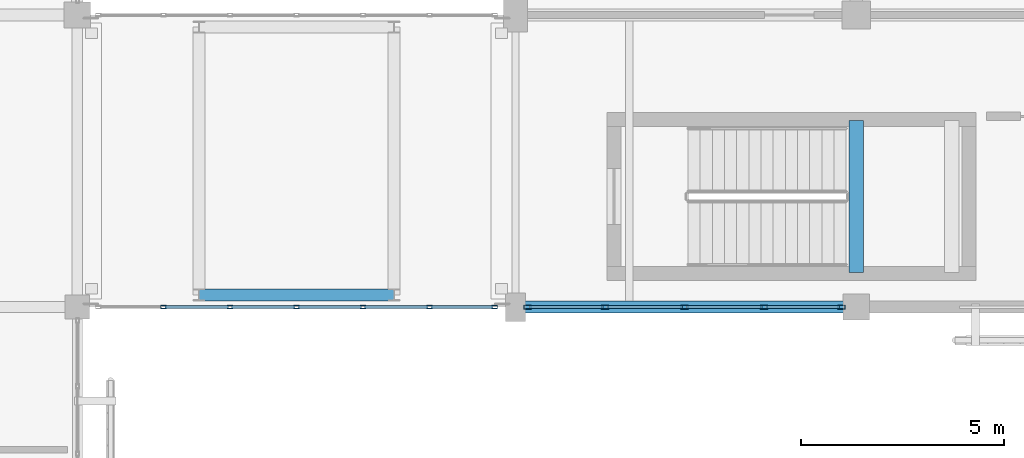
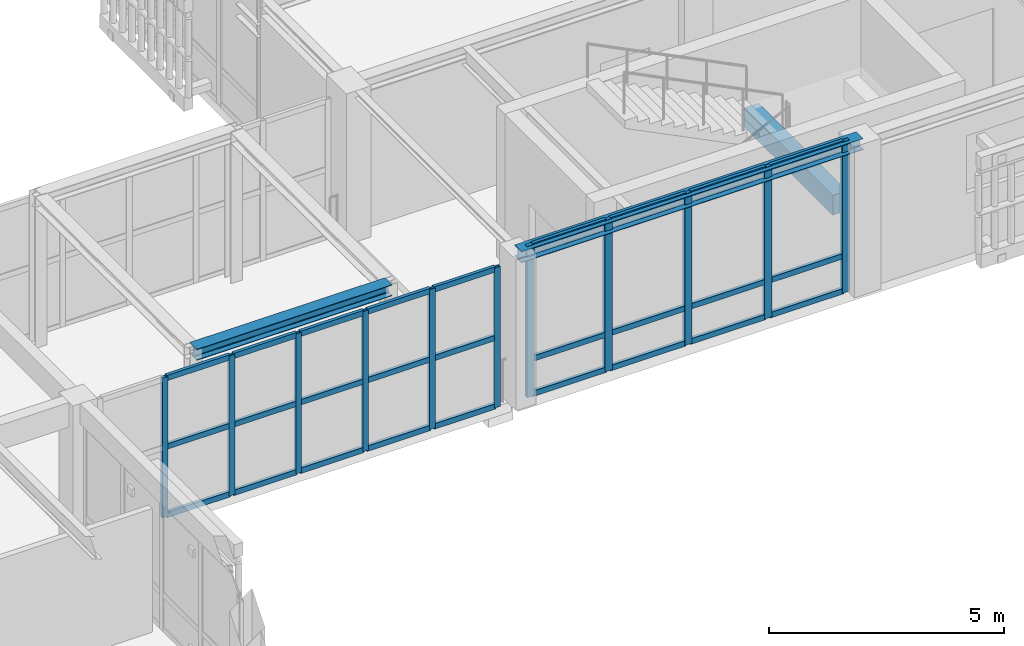
# One storey, part 64 of 170: 38 members, 3 beams, 2 elements without a shape of their own.
"""IFC4 building model written with IfcOpenShell, lengths in metres."""

from ifc_helpers import new_model, si_unit, direction, frame, origin, origin_2d, place, context, subcontext, project, spatial, rectangle, hollow_rectangle, i_section, extrude, material, layer, layer_set, material_profile, profile_set, type_object, element, aggregate, save


model = new_model("IFC4")

# Units and contexts
model_context = context("Model", 3, precision=1e-05, world=origin(), true_north=direction((0.0, 1.0)))
body_context = subcontext(model_context, "Body", "Model", "MODEL_VIEW")
ifc_project = project(units=[si_unit("LENGTHUNIT", "METRE"), si_unit("AREAUNIT", "SQUARE_METRE"), si_unit("VOLUMEUNIT", "CUBIC_METRE"), si_unit("PLANEANGLEUNIT", "RADIAN"), si_unit("MASSUNIT", "GRAM", prefix="KILO")], contexts=[model_context])

# Site, building, storey
site_placement = place(None, origin())
site = spatial("IfcSite", under=ifc_project, at=site_placement, CompositionType="ELEMENT")
building_placement = place(site_placement, origin())
building = spatial("IfcBuilding", under=site, at=building_placement, Name="Mazaris Harbour Polytechnic", CompositionType="ELEMENT")
storey_placement = place(building_placement, frame((0.0, 0.0, 5.39990234375)))
storey = spatial("IfcBuildingStorey", under=building, at=storey_placement, Name="L01", CompositionType="ELEMENT", Elevation=5.39990234375)

# Curtain wall, members
ifc_material_1 = material(Name="Anodised Bronze Aluminium and Low-E Glass", Category="aluminium")
ifc_layer_1 = layer(ifc_material_1, 0.14990234375, Name="Anodised Bronze Aluminium and Low-E Glass")
ifc_layer_set_1 = layer_set([ifc_layer_1], Name="Anodised Bronze Aluminium and Low-E Glass")
curtain_wall_type_1 = type_object("IfcCurtainWallType", Name="Workshop Clerestory Curtain Wall", PredefinedType="NOTDEFINED", material=ifc_layer_set_1)
curtain_wall_1_placement = place(storey_placement, origin())
curtain_wall_1 = element("IfcCurtainWall", 1, at=curtain_wall_1_placement, inside=storey, type_object=curtain_wall_type_1, Name="V1 L01 Curtain Wall 13", PredefinedType="NOTDEFINED")
ifc_material_2 = material(Name="Anodised Bronze Steel S355", Category="steel")
ifc_material_profile_1 = material_profile(ifc_material_2, hollow_rectangle(XDim=0.10009765625, YDim=0.179931640625, WallThickness=0.008056640625, at=origin_2d()), Name="RHS 100x180x8.0")
ifc_profile_set_1 = profile_set([ifc_material_profile_1], Name="Anodised Bronze Steel S355")
member_type_1 = type_object("IfcMemberType", Name="Curtain Mullion RHS100x180", PredefinedType="MULLION", material=ifc_profile_set_1)
member_1_placement = place(storey_placement, frame((62.032958984375, 75.60009765625, 0.0), z_axis=(0.0, 0.0, 1.0), x_axis=(0.0, -1.0, 0.0)))
member_1 = element("IfcMember", 2, at=member_1_placement, type_object=member_type_1, Name="CW-04 mullion 1", PredefinedType="MULLION", context=body_context, shape_type="SweptSolid", body=[
    extrude(hollow_rectangle(XDim=0.10009765625, YDim=0.179931640625, WallThickness=0.008056640625, at=origin_2d()), origin(), (0.0, 0.0, 1.0), 3.920166015625),
])
member_2_placement = place(storey_placement, frame((60.122802734375, 75.60009765625, 0.0), z_axis=(0.0, 0.0, 1.0), x_axis=(0.0, -1.0, 0.0)))
member_2 = element("IfcMember", 3, at=member_2_placement, type_object=member_type_1, Name="CW-04 mullion 2", PredefinedType="MULLION", context=body_context, shape_type="SweptSolid", body=[
    extrude(hollow_rectangle(XDim=0.10009765625, YDim=0.179931640625, WallThickness=0.008056640625, at=origin_2d()), origin(), (0.0, 0.0, 1.0), 3.920166015625),
])
member_3_placement = place(storey_placement, frame((58.16259765625, 75.60009765625, 0.0), z_axis=(0.0, 0.0, 1.0), x_axis=(0.0, -1.0, 0.0)))
member_3 = element("IfcMember", 4, at=member_3_placement, type_object=member_type_1, Name="CW-04 mullion 3", PredefinedType="MULLION", context=body_context, shape_type="SweptSolid", body=[
    extrude(hollow_rectangle(XDim=0.10009765625, YDim=0.179931640625, WallThickness=0.008056640625, at=origin_2d()), origin(), (0.0, 0.0, 1.0), 3.920166015625),
])
member_4_placement = place(storey_placement, frame((56.2021484375, 75.60009765625, 0.0), z_axis=(0.0, 0.0, 1.0), x_axis=(0.0, -1.0, 0.0)))
member_4 = element("IfcMember", 5, at=member_4_placement, type_object=member_type_1, Name="CW-04 mullion 4", PredefinedType="MULLION", context=body_context, shape_type="SweptSolid", body=[
    extrude(hollow_rectangle(XDim=0.10009765625, YDim=0.179931640625, WallThickness=0.008056640625, at=origin_2d()), origin(), (0.0, 0.0, 1.0), 3.920166015625),
])
member_5_placement = place(storey_placement, frame((54.2919921875, 75.60009765625, 0.0), z_axis=(0.0, 0.0, 1.0), x_axis=(0.0, -1.0, 0.0)))
member_5 = element("IfcMember", 6, at=member_5_placement, type_object=member_type_1, Name="CW-04 mullion 5", PredefinedType="MULLION", context=body_context, shape_type="SweptSolid", body=[
    extrude(hollow_rectangle(XDim=0.10009765625, YDim=0.179931640625, WallThickness=0.008056640625, at=origin_2d()), origin(), (0.0, 0.0, 1.0), 3.920166015625),
])

ifc_material_3 = material(Name="Anodised Bronze Aluminium and Low-E Glass", Category="aluminium")
ifc_layer_2 = layer(ifc_material_3, 0.139892578125, Name="Anodised Bronze Aluminium and Low-E Glass")
ifc_layer_set_2 = layer_set([ifc_layer_2], Name="Anodised Bronze Aluminium and Low-E Glass")
curtain_wall_type_2 = type_object("IfcCurtainWallType", Name="Seismic Link Bridge Glazing", PredefinedType="NOTDEFINED", material=ifc_layer_set_2)
curtain_wall_2_placement = place(storey_placement, origin())
curtain_wall_2 = element("IfcCurtainWall", 7, at=curtain_wall_2_placement, inside=storey, type_object=curtain_wall_type_2, Name="PB-W2 L01 Bridge Glazing", PredefinedType="NOTDEFINED")
ifc_material_4 = material(Name="Anodised Bronze Steel S355", Category="steel")
ifc_material_profile_2 = material_profile(ifc_material_4, hollow_rectangle(XDim=0.080078125, YDim=0.139892578125, WallThickness=0.00634765625, at=origin_2d()), Name="RHS 80x140x6.3")
ifc_profile_set_2 = profile_set([ifc_material_profile_2], Name="Anodised Bronze Steel S355")
member_type_2 = type_object("IfcMemberType", Name="Curtain Mullion RHS80x140", PredefinedType="MULLION", material=ifc_profile_set_2)
member_6_placement = place(storey_placement, frame((45.320068359375, 75.60009765625, 0.0), z_axis=(0.0, 0.0, 1.0), x_axis=(0.0, 1.0, 0.0)))
member_6 = element("IfcMember", 8, at=member_6_placement, type_object=member_type_2, Name="CW-05 mullion 2", PredefinedType="MULLION", context=body_context, shape_type="SweptSolid", body=[
    extrude(hollow_rectangle(XDim=0.080078125, YDim=0.139892578125, WallThickness=0.00634765625, at=origin_2d()), origin(), (0.0, 0.0, 1.0), 3.635009765625),
])
member_7_placement = place(storey_placement, frame((46.9599609375, 75.60009765625, 0.0), z_axis=(0.0, 0.0, 1.0), x_axis=(0.0, 1.0, 0.0)))
member_7 = element("IfcMember", 9, at=member_7_placement, type_object=member_type_2, Name="CW-05 mullion 3", PredefinedType="MULLION", context=body_context, shape_type="SweptSolid", body=[
    extrude(hollow_rectangle(XDim=0.080078125, YDim=0.139892578125, WallThickness=0.00634765625, at=origin_2d()), origin(), (0.0, 0.0, 1.0), 3.635009765625),
])
member_8_placement = place(storey_placement, frame((48.60009765625, 75.60009765625, 0.0), z_axis=(0.0, 0.0, 1.0), x_axis=(0.0, 1.0, 0.0)))
member_8 = element("IfcMember", 10, at=member_8_placement, type_object=member_type_2, Name="CW-05 mullion 4", PredefinedType="MULLION", context=body_context, shape_type="SweptSolid", body=[
    extrude(hollow_rectangle(XDim=0.080078125, YDim=0.139892578125, WallThickness=0.00634765625, at=origin_2d()), origin(), (0.0, 0.0, 1.0), 3.635009765625),
])
member_9_placement = place(storey_placement, frame((50.239990234375, 75.60009765625, 0.0), z_axis=(0.0, 0.0, 1.0), x_axis=(0.0, 1.0, 0.0)))
member_9 = element("IfcMember", 11, at=member_9_placement, type_object=member_type_2, Name="CW-05 mullion 5", PredefinedType="MULLION", context=body_context, shape_type="SweptSolid", body=[
    extrude(hollow_rectangle(XDim=0.080078125, YDim=0.139892578125, WallThickness=0.00634765625, at=origin_2d()), origin(), (0.0, 0.0, 1.0), 3.635009765625),
])
member_10_placement = place(storey_placement, frame((51.8798828125, 75.60009765625, 0.0), z_axis=(0.0, 0.0, 1.0), x_axis=(0.0, 1.0, 0.0)))
member_10 = element("IfcMember", 12, at=member_10_placement, type_object=member_type_2, Name="CW-05 mullion 6", PredefinedType="MULLION", context=body_context, shape_type="SweptSolid", body=[
    extrude(hollow_rectangle(XDim=0.080078125, YDim=0.139892578125, WallThickness=0.00634765625, at=origin_2d()), origin(), (0.0, 0.0, 1.0), 3.635009765625),
])
member_11_placement = place(storey_placement, frame((53.47998046875, 75.60009765625, 0.0), z_axis=(0.0, 0.0, 1.0), x_axis=(0.0, 1.0, 0.0)))
member_11 = element("IfcMember", 13, at=member_11_placement, type_object=member_type_2, Name="CW-05 mullion 7", PredefinedType="MULLION", context=body_context, shape_type="SweptSolid", body=[
    extrude(hollow_rectangle(XDim=0.080078125, YDim=0.139892578125, WallThickness=0.00634765625, at=origin_2d()), origin(), (0.0, 0.0, 1.0), 3.635009765625),
])

# Member
ifc_material_5 = material(Name="Anodised Bronze Steel S355", Category="steel")
ifc_material_profile_3 = material_profile(ifc_material_5, hollow_rectangle(XDim=0.080078125, YDim=0.139892578125, WallThickness=0.00634765625, at=origin_2d()), Name="RHS 80x140x6.3")
ifc_profile_set_3 = profile_set([ifc_material_profile_3], Name="Anodised Bronze Steel S355")
member_type_3 = type_object("IfcMemberType", Name="Curtain Transom RHS80x140", PredefinedType="USERDEFINED", material=ifc_profile_set_3)
member_12_placement = place(storey_placement, frame((61.98291015625, 75.60009765625, 0.0400390625), z_axis=(-1.0, 0.0, 0.0), x_axis=(0.0, -1.0, 0.0)))
member_12 = element("IfcMember", 14, at=member_12_placement, type_object=member_type_3, Name="CW-04 transom 1.1", ObjectType="TRANSOM", PredefinedType="USERDEFINED", context=body_context, shape_type="SweptSolid", body=[
    extrude(hollow_rectangle(XDim=0.080078125, YDim=0.139892578125, WallThickness=0.00634765625, at=origin_2d()), origin(), (0.0, 0.0, 1.0), 1.81005859375),
])

member_13_placement = place(storey_placement, frame((61.98291015625, 75.60009765625, 0.9501953125), z_axis=(-1.0, 0.0, 0.0), x_axis=(0.0, -1.0, 0.0)))
member_13 = element("IfcMember", 15, at=member_13_placement, type_object=member_type_3, Name="CW-04 transom 1.2", ObjectType="TRANSOM", PredefinedType="USERDEFINED", context=body_context, shape_type="SweptSolid", body=[
    extrude(hollow_rectangle(XDim=0.080078125, YDim=0.139892578125, WallThickness=0.00634765625, at=origin_2d()), origin(), (0.0, 0.0, 1.0), 1.81005859375),
])

member_14_placement = place(storey_placement, frame((61.98291015625, 75.60009765625, 3.880126953125), z_axis=(-1.0, 0.0, 0.0), x_axis=(0.0, -1.0, 0.0)))
member_14 = element("IfcMember", 16, at=member_14_placement, type_object=member_type_3, Name="CW-04 transom 1.3", ObjectType="TRANSOM", PredefinedType="USERDEFINED", context=body_context, shape_type="SweptSolid", body=[
    extrude(hollow_rectangle(XDim=0.080078125, YDim=0.139892578125, WallThickness=0.00634765625, at=origin_2d()), origin(), (0.0, 0.0, 1.0), 1.81005859375),
])

member_15_placement = place(storey_placement, frame((60.07275390625, 75.60009765625, 0.0400390625), z_axis=(-1.0, 0.0, 0.0), x_axis=(0.0, -1.0, 0.0)))
member_15 = element("IfcMember", 17, at=member_15_placement, type_object=member_type_3, Name="CW-04 transom 2.1", ObjectType="TRANSOM", PredefinedType="USERDEFINED", context=body_context, shape_type="SweptSolid", body=[
    extrude(hollow_rectangle(XDim=0.080078125, YDim=0.139892578125, WallThickness=0.00634765625, at=origin_2d()), origin(), (0.0, 0.0, 1.0), 1.8603515625),
])

member_16_placement = place(storey_placement, frame((60.07275390625, 75.60009765625, 0.9501953125), z_axis=(-1.0, 0.0, 0.0), x_axis=(0.0, -1.0, 0.0)))
member_16 = element("IfcMember", 18, at=member_16_placement, type_object=member_type_3, Name="CW-04 transom 2.2", ObjectType="TRANSOM", PredefinedType="USERDEFINED", context=body_context, shape_type="SweptSolid", body=[
    extrude(hollow_rectangle(XDim=0.080078125, YDim=0.139892578125, WallThickness=0.00634765625, at=origin_2d()), origin(), (0.0, 0.0, 1.0), 1.8603515625),
])

member_17_placement = place(storey_placement, frame((60.07275390625, 75.60009765625, 3.880126953125), z_axis=(-1.0, 0.0, 0.0), x_axis=(0.0, -1.0, 0.0)))
member_17 = element("IfcMember", 19, at=member_17_placement, type_object=member_type_3, Name="CW-04 transom 2.3", ObjectType="TRANSOM", PredefinedType="USERDEFINED", context=body_context, shape_type="SweptSolid", body=[
    extrude(hollow_rectangle(XDim=0.080078125, YDim=0.139892578125, WallThickness=0.00634765625, at=origin_2d()), origin(), (0.0, 0.0, 1.0), 1.8603515625),
])

member_18_placement = place(storey_placement, frame((58.112548828125, 75.60009765625, 0.0400390625), z_axis=(-1.0, 0.0, 0.0), x_axis=(0.0, -1.0, 0.0)))
member_18 = element("IfcMember", 20, at=member_18_placement, type_object=member_type_3, Name="CW-04 transom 3.1", ObjectType="TRANSOM", PredefinedType="USERDEFINED", context=body_context, shape_type="SweptSolid", body=[
    extrude(hollow_rectangle(XDim=0.080078125, YDim=0.139892578125, WallThickness=0.00634765625, at=origin_2d()), origin(), (0.0, 0.0, 1.0), 1.8603515625),
])

member_19_placement = place(storey_placement, frame((58.112548828125, 75.60009765625, 0.9501953125), z_axis=(-1.0, 0.0, 0.0), x_axis=(0.0, -1.0, 0.0)))
member_19 = element("IfcMember", 21, at=member_19_placement, type_object=member_type_3, Name="CW-04 transom 3.2", ObjectType="TRANSOM", PredefinedType="USERDEFINED", context=body_context, shape_type="SweptSolid", body=[
    extrude(hollow_rectangle(XDim=0.080078125, YDim=0.139892578125, WallThickness=0.00634765625, at=origin_2d()), origin(), (0.0, 0.0, 1.0), 1.8603515625),
])

member_20_placement = place(storey_placement, frame((58.112548828125, 75.60009765625, 3.880126953125), z_axis=(-1.0, 0.0, 0.0), x_axis=(0.0, -1.0, 0.0)))
member_20 = element("IfcMember", 22, at=member_20_placement, type_object=member_type_3, Name="CW-04 transom 3.3", ObjectType="TRANSOM", PredefinedType="USERDEFINED", context=body_context, shape_type="SweptSolid", body=[
    extrude(hollow_rectangle(XDim=0.080078125, YDim=0.139892578125, WallThickness=0.00634765625, at=origin_2d()), origin(), (0.0, 0.0, 1.0), 1.8603515625),
])

member_21_placement = place(storey_placement, frame((56.15234375, 75.60009765625, 0.0400390625), z_axis=(-1.0, 0.0, 0.0), x_axis=(0.0, -1.0, 0.0)))
member_21 = element("IfcMember", 23, at=member_21_placement, type_object=member_type_3, Name="CW-04 transom 4.1", ObjectType="TRANSOM", PredefinedType="USERDEFINED", context=body_context, shape_type="SweptSolid", body=[
    extrude(hollow_rectangle(XDim=0.080078125, YDim=0.139892578125, WallThickness=0.00634765625, at=origin_2d()), origin(), (0.0, 0.0, 1.0), 1.810302734375),
])

member_22_placement = place(storey_placement, frame((56.15234375, 75.60009765625, 0.9501953125), z_axis=(-1.0, 0.0, 0.0), x_axis=(0.0, -1.0, 0.0)))
member_22 = element("IfcMember", 24, at=member_22_placement, type_object=member_type_3, Name="CW-04 transom 4.2", ObjectType="TRANSOM", PredefinedType="USERDEFINED", context=body_context, shape_type="SweptSolid", body=[
    extrude(hollow_rectangle(XDim=0.080078125, YDim=0.139892578125, WallThickness=0.00634765625, at=origin_2d()), origin(), (0.0, 0.0, 1.0), 1.810302734375),
])

member_23_placement = place(storey_placement, frame((56.15234375, 75.60009765625, 3.880126953125), z_axis=(-1.0, 0.0, 0.0), x_axis=(0.0, -1.0, 0.0)))
member_23 = element("IfcMember", 25, at=member_23_placement, type_object=member_type_3, Name="CW-04 transom 4.3", ObjectType="TRANSOM", PredefinedType="USERDEFINED", context=body_context, shape_type="SweptSolid", body=[
    extrude(hollow_rectangle(XDim=0.080078125, YDim=0.139892578125, WallThickness=0.00634765625, at=origin_2d()), origin(), (0.0, 0.0, 1.0), 1.810302734375),
])

aggregate(curtain_wall_1, [member_1, member_2, member_3, member_4, member_5, member_12, member_13, member_14, member_15, member_16, member_17, member_18, member_19, member_20, member_21, member_22, member_23])

member_24_placement = place(storey_placement, frame((45.360107421875, 75.60009765625, 0.0400390625), z_axis=(1.0, 0.0, 0.0), x_axis=(0.0, 1.0, 0.0)))
member_24 = element("IfcMember", 26, at=member_24_placement, type_object=member_type_3, Name="CW-05 transom 2.1", ObjectType="TRANSOM", PredefinedType="USERDEFINED", context=body_context, shape_type="SweptSolid", body=[
    extrude(hollow_rectangle(XDim=0.080078125, YDim=0.139892578125, WallThickness=0.00634765625, at=origin_2d()), origin(), (0.0, 0.0, 1.0), 1.559814453125),
])

member_25_placement = place(storey_placement, frame((45.360107421875, 75.60009765625, 1.817626953125), z_axis=(1.0, 0.0, 0.0), x_axis=(0.0, 1.0, 0.0)))
member_25 = element("IfcMember", 27, at=member_25_placement, type_object=member_type_3, Name="CW-05 transom 2.2", ObjectType="TRANSOM", PredefinedType="USERDEFINED", context=body_context, shape_type="SweptSolid", body=[
    extrude(hollow_rectangle(XDim=0.080078125, YDim=0.139892578125, WallThickness=0.00634765625, at=origin_2d()), origin(), (0.0, 0.0, 1.0), 1.559814453125),
])

member_26_placement = place(storey_placement, frame((45.360107421875, 75.60009765625, 3.59521484375), z_axis=(1.0, 0.0, 0.0), x_axis=(0.0, 1.0, 0.0)))
member_26 = element("IfcMember", 28, at=member_26_placement, type_object=member_type_3, Name="CW-05 transom 2.3", ObjectType="TRANSOM", PredefinedType="USERDEFINED", context=body_context, shape_type="SweptSolid", body=[
    extrude(hollow_rectangle(XDim=0.080078125, YDim=0.139892578125, WallThickness=0.00634765625, at=origin_2d()), origin(), (0.0, 0.0, 1.0), 1.559814453125),
])

member_27_placement = place(storey_placement, frame((47.0, 75.60009765625, 0.0400390625), z_axis=(1.0, 0.0, 0.0), x_axis=(0.0, 1.0, 0.0)))
member_27 = element("IfcMember", 29, at=member_27_placement, type_object=member_type_3, Name="CW-05 transom 3.1", ObjectType="TRANSOM", PredefinedType="USERDEFINED", context=body_context, shape_type="SweptSolid", body=[
    extrude(hollow_rectangle(XDim=0.080078125, YDim=0.139892578125, WallThickness=0.00634765625, at=origin_2d()), origin(), (0.0, 0.0, 1.0), 1.56005859375),
])

member_28_placement = place(storey_placement, frame((47.0, 75.60009765625, 1.817626953125), z_axis=(1.0, 0.0, 0.0), x_axis=(0.0, 1.0, 0.0)))
member_28 = element("IfcMember", 30, at=member_28_placement, type_object=member_type_3, Name="CW-05 transom 3.2", ObjectType="TRANSOM", PredefinedType="USERDEFINED", context=body_context, shape_type="SweptSolid", body=[
    extrude(hollow_rectangle(XDim=0.080078125, YDim=0.139892578125, WallThickness=0.00634765625, at=origin_2d()), origin(), (0.0, 0.0, 1.0), 1.56005859375),
])

member_29_placement = place(storey_placement, frame((47.0, 75.60009765625, 3.59521484375), z_axis=(1.0, 0.0, 0.0), x_axis=(0.0, 1.0, 0.0)))
member_29 = element("IfcMember", 31, at=member_29_placement, type_object=member_type_3, Name="CW-05 transom 3.3", ObjectType="TRANSOM", PredefinedType="USERDEFINED", context=body_context, shape_type="SweptSolid", body=[
    extrude(hollow_rectangle(XDim=0.080078125, YDim=0.139892578125, WallThickness=0.00634765625, at=origin_2d()), origin(), (0.0, 0.0, 1.0), 1.56005859375),
])

member_30_placement = place(storey_placement, frame((48.639892578125, 75.60009765625, 0.0400390625), z_axis=(1.0, 0.0, 0.0), x_axis=(0.0, 1.0, 0.0)))
member_30 = element("IfcMember", 32, at=member_30_placement, type_object=member_type_3, Name="CW-05 transom 4.1", ObjectType="TRANSOM", PredefinedType="USERDEFINED", context=body_context, shape_type="SweptSolid", body=[
    extrude(hollow_rectangle(XDim=0.080078125, YDim=0.139892578125, WallThickness=0.00634765625, at=origin_2d()), origin(), (0.0, 0.0, 1.0), 1.56005859375),
])

member_31_placement = place(storey_placement, frame((48.639892578125, 75.60009765625, 1.817626953125), z_axis=(1.0, 0.0, 0.0), x_axis=(0.0, 1.0, 0.0)))
member_31 = element("IfcMember", 33, at=member_31_placement, type_object=member_type_3, Name="CW-05 transom 4.2", ObjectType="TRANSOM", PredefinedType="USERDEFINED", context=body_context, shape_type="SweptSolid", body=[
    extrude(hollow_rectangle(XDim=0.080078125, YDim=0.139892578125, WallThickness=0.00634765625, at=origin_2d()), origin(), (0.0, 0.0, 1.0), 1.56005859375),
])

member_32_placement = place(storey_placement, frame((48.639892578125, 75.60009765625, 3.59521484375), z_axis=(1.0, 0.0, 0.0), x_axis=(0.0, 1.0, 0.0)))
member_32 = element("IfcMember", 34, at=member_32_placement, type_object=member_type_3, Name="CW-05 transom 4.3", ObjectType="TRANSOM", PredefinedType="USERDEFINED", context=body_context, shape_type="SweptSolid", body=[
    extrude(hollow_rectangle(XDim=0.080078125, YDim=0.139892578125, WallThickness=0.00634765625, at=origin_2d()), origin(), (0.0, 0.0, 1.0), 1.56005859375),
])

member_33_placement = place(storey_placement, frame((50.280029296875, 75.60009765625, 0.0400390625), z_axis=(1.0, 0.0, 0.0), x_axis=(0.0, 1.0, 0.0)))
member_33 = element("IfcMember", 35, at=member_33_placement, type_object=member_type_3, Name="CW-05 transom 5.1", ObjectType="TRANSOM", PredefinedType="USERDEFINED", context=body_context, shape_type="SweptSolid", body=[
    extrude(hollow_rectangle(XDim=0.080078125, YDim=0.139892578125, WallThickness=0.00634765625, at=origin_2d()), origin(), (0.0, 0.0, 1.0), 1.56005859375),
])

member_34_placement = place(storey_placement, frame((50.280029296875, 75.60009765625, 1.817626953125), z_axis=(1.0, 0.0, 0.0), x_axis=(0.0, 1.0, 0.0)))
member_34 = element("IfcMember", 36, at=member_34_placement, type_object=member_type_3, Name="CW-05 transom 5.2", ObjectType="TRANSOM", PredefinedType="USERDEFINED", context=body_context, shape_type="SweptSolid", body=[
    extrude(hollow_rectangle(XDim=0.080078125, YDim=0.139892578125, WallThickness=0.00634765625, at=origin_2d()), origin(), (0.0, 0.0, 1.0), 1.56005859375),
])

member_35_placement = place(storey_placement, frame((50.280029296875, 75.60009765625, 3.59521484375), z_axis=(1.0, 0.0, 0.0), x_axis=(0.0, 1.0, 0.0)))
member_35 = element("IfcMember", 37, at=member_35_placement, type_object=member_type_3, Name="CW-05 transom 5.3", ObjectType="TRANSOM", PredefinedType="USERDEFINED", context=body_context, shape_type="SweptSolid", body=[
    extrude(hollow_rectangle(XDim=0.080078125, YDim=0.139892578125, WallThickness=0.00634765625, at=origin_2d()), origin(), (0.0, 0.0, 1.0), 1.56005859375),
])

member_36_placement = place(storey_placement, frame((51.919921875, 75.60009765625, 0.0400390625), z_axis=(1.0, 0.0, 0.0), x_axis=(0.0, 1.0, 0.0)))
member_36 = element("IfcMember", 38, at=member_36_placement, type_object=member_type_3, Name="CW-05 transom 6.1", ObjectType="TRANSOM", PredefinedType="USERDEFINED", context=body_context, shape_type="SweptSolid", body=[
    extrude(hollow_rectangle(XDim=0.080078125, YDim=0.139892578125, WallThickness=0.00634765625, at=origin_2d()), origin(), (0.0, 0.0, 1.0), 1.52001953125),
])

member_37_placement = place(storey_placement, frame((51.919921875, 75.60009765625, 1.817626953125), z_axis=(1.0, 0.0, 0.0), x_axis=(0.0, 1.0, 0.0)))
member_37 = element("IfcMember", 39, at=member_37_placement, type_object=member_type_3, Name="CW-05 transom 6.2", ObjectType="TRANSOM", PredefinedType="USERDEFINED", context=body_context, shape_type="SweptSolid", body=[
    extrude(hollow_rectangle(XDim=0.080078125, YDim=0.139892578125, WallThickness=0.00634765625, at=origin_2d()), origin(), (0.0, 0.0, 1.0), 1.52001953125),
])

member_38_placement = place(storey_placement, frame((51.919921875, 75.60009765625, 3.59521484375), z_axis=(1.0, 0.0, 0.0), x_axis=(0.0, 1.0, 0.0)))
member_38 = element("IfcMember", 40, at=member_38_placement, type_object=member_type_3, Name="CW-05 transom 6.3", ObjectType="TRANSOM", PredefinedType="USERDEFINED", context=body_context, shape_type="SweptSolid", body=[
    extrude(hollow_rectangle(XDim=0.080078125, YDim=0.139892578125, WallThickness=0.00634765625, at=origin_2d()), origin(), (0.0, 0.0, 1.0), 1.52001953125),
])

aggregate(curtain_wall_2, [member_6, member_7, member_8, member_9, member_10, member_11, member_24, member_25, member_26, member_27, member_28, member_29, member_30, member_31, member_32, member_33, member_34, member_35, member_36, member_37, member_38])

# Beams
ifc_material_6 = material(Name="Concrete C40/50", Category="concrete")
ifc_material_profile_4 = material_profile(ifc_material_6, rectangle(XDim=0.35009765625, YDim=0.52001953125, at=origin_2d()), Name="RECT350x520")
ifc_profile_set_4 = profile_set([ifc_material_profile_4], Name="Concrete C40/50")
beam_type_1 = type_object("IfcBeamType", Name="RC Landing Bearer 350x520", PredefinedType="BEAM", material=ifc_profile_set_4)
beam_1_placement = place(storey_placement, frame((62.39990234375, 76.449951171875, 1.64013671875), z_axis=(0.0, 1.0, 0.0), x_axis=(-1.0, 0.0, 0.0)))
element("IfcBeam", 41, at=beam_1_placement, inside=storey, type_object=beam_type_1, Name="Core ST01 L01 Landing Bearer", PredefinedType="BEAM", context=body_context, shape_type="SweptSolid", body=[
    extrude(rectangle(XDim=0.35009765625, YDim=0.52001953125, at=origin_2d()), origin(), (0.0, 0.0, 1.0), 3.75),
])
ifc_material_7 = material(Name="Steel S355", Category="steel")
ifc_material_profile_5 = material_profile(ifc_material_7, i_section(OverallWidth=0.300048828125, OverallDepth=0.2900390625, WebThickness=0.008544921875, FlangeThickness=0.013916015625, FilletRadius=0.027099609375, at=origin_2d()), Name="HEA 300")
ifc_profile_set_5 = profile_set([ifc_material_profile_5], Name="Steel S355")
beam_type_2 = type_object("IfcBeamType", Name="Steel Beam HEA300 Exterior", PredefinedType="SPANDREL", material=ifc_profile_set_5)
beam_2_placement = place(storey_placement, frame((54.0, 75.60009765625, 3.775146484375), z_axis=(1.0, 0.0, 0.0), x_axis=(0.0, 1.0, 0.0)))
element("IfcBeam", 42, at=beam_2_placement, inside=storey, type_object=beam_type_2, Name="V1 L01 Girder 231", PredefinedType="SPANDREL", context=body_context, shape_type="SweptSolid", body=[
    extrude(i_section(OverallWidth=0.300048828125, OverallDepth=0.2900390625, WebThickness=0.008544921875, FlangeThickness=0.013916015625, FilletRadius=0.027099609375, at=origin_2d()), origin(), (0.0, 0.0, 1.0), 8.39990234375),
])
beam_3_placement = place(storey_placement, frame((46.199951171875, 75.89990234375, 3.7900390625), z_axis=(1.0, 0.0, 0.0), x_axis=(0.0, 1.0, 0.0)))
element("IfcBeam", 43, at=beam_3_placement, inside=storey, type_object=beam_type_2, Name="PB-W2 L01 Bridge Beam 3427", PredefinedType="SPANDREL", context=body_context, shape_type="SweptSolid", body=[
    extrude(i_section(OverallWidth=0.300048828125, OverallDepth=0.2900390625, WebThickness=0.008544921875, FlangeThickness=0.013916015625, FilletRadius=0.027099609375, at=origin_2d()), origin(), (0.0, 0.0, 1.0), 4.800048828125),
])

save(model, "model.ifc")
